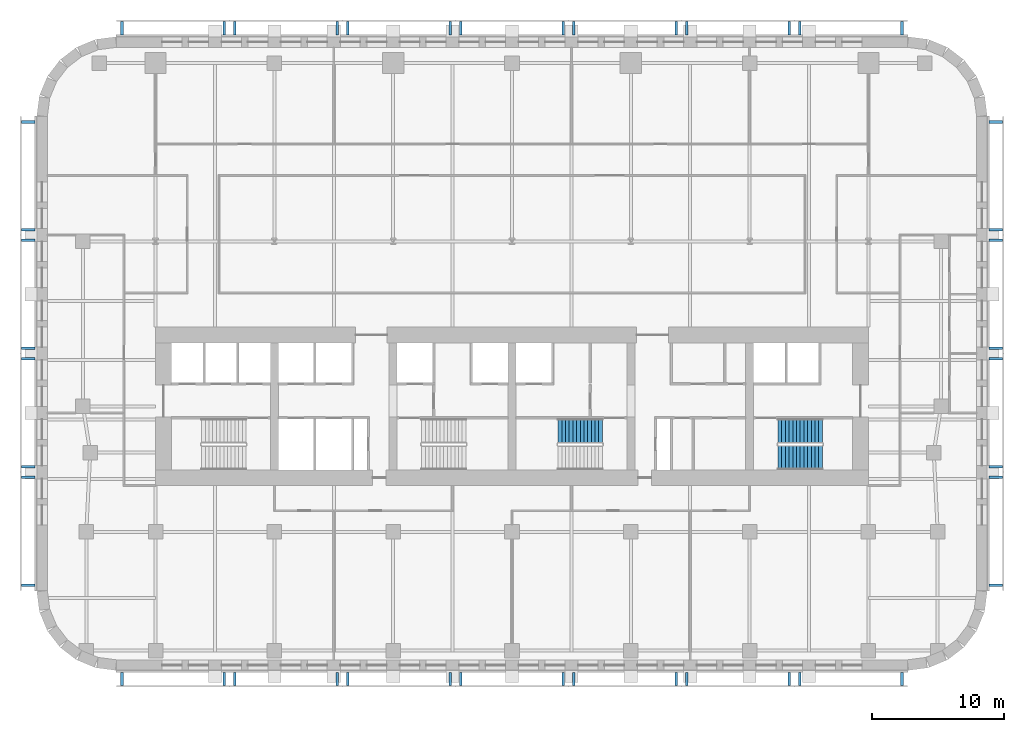
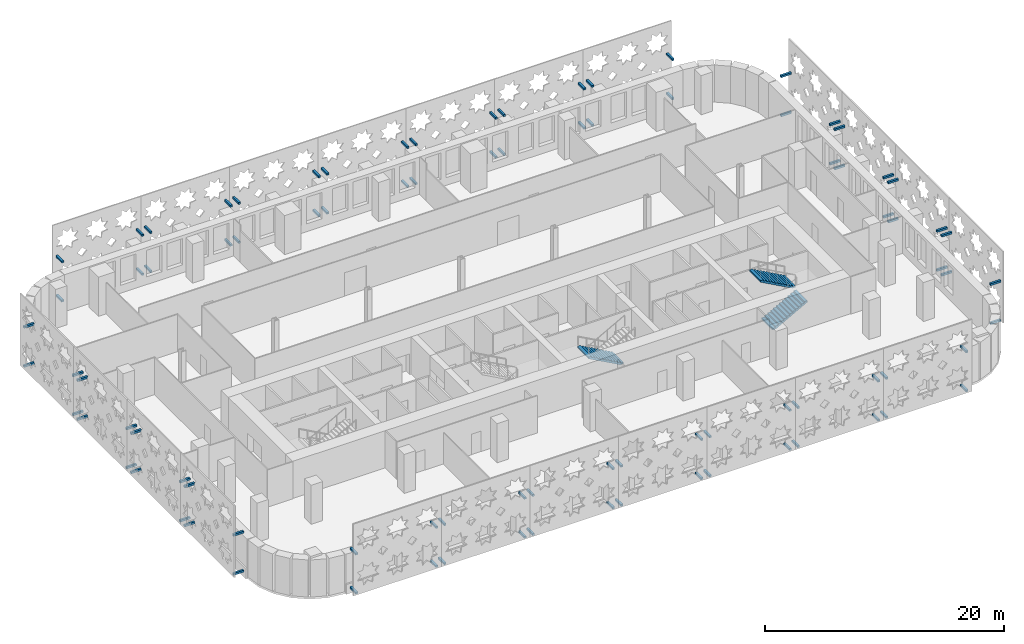
# One storey, part 10 of 15: 88 discrete accessories, 3 stair flights, 2 elements without a shape of their own.
"""IFC4 building model written with IfcOpenShell, lengths in metres."""

from ifc_helpers import new_model, si_unit, direction, frame, origin, origin_2d, place, context, subcontext, project, spatial, polyline, rectangle, outline, extrude, material, type_object, element, aggregate, save


model = new_model("IFC4")

# Units and contexts
model_context = context("Model", 3, precision=1e-05, world=origin(), true_north=direction((0.0, 1.0)))
body_context = subcontext(model_context, "Body", "Model", "MODEL_VIEW")
ifc_project = project(units=[si_unit("LENGTHUNIT", "METRE"), si_unit("AREAUNIT", "SQUARE_METRE"), si_unit("VOLUMEUNIT", "CUBIC_METRE"), si_unit("PLANEANGLEUNIT", "RADIAN"), si_unit("MASSUNIT", "GRAM", prefix="KILO")], contexts=[model_context])

# Site, building, storey
site_placement = place(None, origin())
site = spatial("IfcSite", under=ifc_project, at=site_placement, CompositionType="ELEMENT")
building_placement = place(site_placement, origin())
building = spatial("IfcBuilding", under=site, at=building_placement, Name="Zellij Exchange Tower", CompositionType="ELEMENT")
storey_placement = place(building_placement, frame((0.0, 0.0, 92.5)))
storey = spatial("IfcBuildingStorey", under=building, at=storey_placement, Name="L19", CompositionType="ELEMENT", Elevation=92.5)

# Stair, stair flight
ifc_material_1 = material(Name="Concrete C40/50", Category="concrete")
stair_type = type_object("IfcStairType", Name="CORE-ST exit stair 1850 wide", PredefinedType="HALF_TURN_STAIR", material=ifc_material_1)
stair_1_placement = place(storey_placement, origin())
stair_1 = element("IfcStair", 1, at=stair_1_placement, inside=storey, type_object=stair_type, Name="L19 exit stair ST3", PredefinedType="HALF_TURN_STAIR")
stair_flight_type = type_object("IfcStairFlightType", Name="CORE-SF flight 1850 riser 153.8 going 280", PredefinedType="STRAIGHT", material=ifc_material_1)
stair_flight_1_placement = place(storey_placement, frame((6.85009765625, -9.875, 0.0), z_axis=(0.0, 0.0, 1.0), x_axis=(-1.0, 0.0, 0.0)))
stair_flight_1 = element("IfcStairFlight", 2, at=stair_flight_1_placement, type_object=stair_flight_type, Name="ST3 flight 1", NumberOfRisers=13, NumberOfTreads=12, PredefinedType="STRAIGHT", RiserHeight=0.153846154, TreadLength=0.28, context=body_context, shape_type="SweptSolid", body=[
    extrude(outline(polyline([(0.0, 0.0), (0.0, 0.15380859375), (0.280029296875, 0.15380859375), (0.280029296875, 0.3076171875), (0.56005859375, 0.3076171875), (0.56005859375, 0.46142578125), (0.840087890625, 0.46142578125), (0.840087890625, 0.615478515625), (1.1201171875, 0.615478515625), (1.1201171875, 0.769287109375), (1.39990234375, 0.769287109375), (1.39990234375, 0.923095703125), (1.679931640625, 0.923095703125), (1.679931640625, 1.076904296875), (1.9599609375, 1.076904296875), (1.9599609375, 1.230712890625), (2.239990234375, 1.230712890625), (2.239990234375, 1.384521484375), (2.52001953125, 1.384521484375), (2.52001953125, 1.53857421875), (2.800048828125, 1.53857421875), (2.800048828125, 1.6923828125), (3.080078125, 1.6923828125), (3.080078125, 1.84619140625), (3.360107421875, 1.84619140625), (3.360107421875, 2.0), (3.360107421875, 1.675048828125), (0.311279296875, 0.0), (0.0, 0.0)])), frame((0.0, 0.925048828125, 0.0), z_axis=(0.0, -1.0, 0.0), x_axis=(1.0, 0.0, 0.0)), (0.0, 0.0, 1.0), 1.85009765625),
])
aggregate(stair_1, [stair_flight_1])

# Stair, stair flights
stair_2_placement = place(storey_placement, origin())
stair_2 = element("IfcStair", 3, at=stair_2_placement, inside=storey, type_object=stair_type, Name="L19 exit stair ST4", PredefinedType="HALF_TURN_STAIR")
stair_flight_2_placement = place(storey_placement, frame((20.14990234375, -11.875, 0.0), z_axis=(0.0, 0.0, 1.0), x_axis=(1.0, 0.0, 0.0)))
stair_flight_2 = element("IfcStairFlight", 4, at=stair_flight_2_placement, type_object=stair_flight_type, Name="ST4 flight 1", NumberOfRisers=13, NumberOfTreads=12, PredefinedType="STRAIGHT", RiserHeight=0.153846154, TreadLength=0.28, context=body_context, shape_type="SweptSolid", body=[
    extrude(outline(polyline([(0.0, 0.0), (0.0, 0.15380859375), (0.280029296875, 0.15380859375), (0.280029296875, 0.3076171875), (0.56005859375, 0.3076171875), (0.56005859375, 0.46142578125), (0.840087890625, 0.46142578125), (0.840087890625, 0.615478515625), (1.1201171875, 0.615478515625), (1.1201171875, 0.769287109375), (1.39990234375, 0.769287109375), (1.39990234375, 0.923095703125), (1.679931640625, 0.923095703125), (1.679931640625, 1.076904296875), (1.9599609375, 1.076904296875), (1.9599609375, 1.230712890625), (2.239990234375, 1.230712890625), (2.239990234375, 1.384521484375), (2.52001953125, 1.384521484375), (2.52001953125, 1.53857421875), (2.800048828125, 1.53857421875), (2.800048828125, 1.6923828125), (3.080078125, 1.6923828125), (3.080078125, 1.84619140625), (3.360107421875, 1.84619140625), (3.360107421875, 2.0), (3.360107421875, 1.675048828125), (0.311279296875, 0.0), (0.0, 0.0)])), frame((0.0, 0.925048828125, 0.0), z_axis=(0.0, -1.0, 0.0), x_axis=(1.0, 0.0, 0.0)), (0.0, 0.0, 1.0), 1.85009765625),
])
stair_flight_3_placement = place(storey_placement, frame((23.510009765625, -9.875, 2.0), z_axis=(0.0, 0.0, 1.0), x_axis=(-1.0, 0.0, 0.0)))
stair_flight_3 = element("IfcStairFlight", 5, at=stair_flight_3_placement, type_object=stair_flight_type, Name="ST4 flight 2", NumberOfRisers=13, NumberOfTreads=12, PredefinedType="STRAIGHT", RiserHeight=0.153846154, TreadLength=0.28, context=body_context, shape_type="SweptSolid", body=[
    extrude(outline(polyline([(0.0, 0.0), (0.0, 0.15380859375), (0.280029296875, 0.15380859375), (0.280029296875, 0.3076171875), (0.56005859375, 0.3076171875), (0.56005859375, 0.46142578125), (0.840087890625, 0.46142578125), (0.840087890625, 0.615478515625), (1.1201171875, 0.615478515625), (1.1201171875, 0.769287109375), (1.39990234375, 0.769287109375), (1.39990234375, 0.923095703125), (1.679931640625, 0.923095703125), (1.679931640625, 1.076904296875), (1.9599609375, 1.076904296875), (1.9599609375, 1.230712890625), (2.239990234375, 1.230712890625), (2.239990234375, 1.384521484375), (2.52001953125, 1.384521484375), (2.52001953125, 1.53857421875), (2.800048828125, 1.53857421875), (2.800048828125, 1.6923828125), (3.080078125, 1.6923828125), (3.080078125, 1.84619140625), (3.360107421875, 1.84619140625), (3.360107421875, 2.0), (3.360107421875, 1.675048828125), (0.311279296875, 0.0), (0.0, 0.0)])), frame((0.0, 0.925048828125, 0.0), z_axis=(0.0, -1.0, 0.0), x_axis=(1.0, 0.0, 0.0)), (0.0, 0.0, 1.0), 1.85009765625),
])
aggregate(stair_2, [stair_flight_2, stair_flight_3])

# Discrete accessories
ifc_material_2 = material(Name="Stainless steel", Category="steel")
discrete_accessory_type = type_object("IfcDiscreteAccessoryType", Name="ENV-BR1 Stone panel bracket 200", PredefinedType="USERDEFINED", material=ifc_material_2)
for number, where, z_axis, x_axis, name in (
    (6, (-36.64990234375, 13.547607421875, 0.2998046875), (0.0, 0.0, 1.0), (0.0, -1.0, 0.0), "Panel bracket"),
    (7, (-36.64990234375, 5.373779296875, 0.2998046875), (0.0, 0.0, 1.0), (0.0, -1.0, 0.0), "Panel bracket"),
    (8, (-36.64990234375, 13.547607421875, 4.2998046875), (0.0, 0.0, 1.0), (0.0, -1.0, 0.0), "Panel bracket"),
    (9, (-36.64990234375, 5.373779296875, 4.2998046875), (0.0, 0.0, 1.0), (0.0, -1.0, 0.0), "Panel bracket"),
    (10, (-36.64990234375, 4.57373046875, 0.2998046875), (0.0, 0.0, 1.0), (0.0, -1.0, 0.0), "Panel bracket"),
    (11, (-36.64990234375, -3.60009765625, 0.2998046875), (0.0, 0.0, 1.0), (0.0, -1.0, 0.0), "Panel bracket"),
    (12, (-36.64990234375, 4.57373046875, 4.2998046875), (0.0, 0.0, 1.0), (0.0, -1.0, 0.0), "Panel bracket"),
    (13, (-36.64990234375, -3.60009765625, 4.2998046875), (0.0, 0.0, 1.0), (0.0, -1.0, 0.0), "Panel bracket"),
    (14, (-36.64990234375, -4.39990234375, 0.2998046875), (0.0, 0.0, 1.0), (0.0, -1.0, 0.0), "Panel bracket"),
    (15, (-36.64990234375, -12.57373046875, 0.2998046875), (0.0, 0.0, 1.0), (0.0, -1.0, 0.0), "Panel bracket"),
    (16, (-36.64990234375, -4.39990234375, 4.2998046875), (0.0, 0.0, 1.0), (0.0, -1.0, 0.0), "Panel bracket"),
    (17, (-36.64990234375, -12.57373046875, 4.2998046875), (0.0, 0.0, 1.0), (0.0, -1.0, 0.0), "Panel bracket"),
    (18, (-36.64990234375, -13.373779296875, 0.2998046875), (0.0, 0.0, 1.0), (0.0, -1.0, 0.0), "Panel bracket"),
    (19, (-36.64990234375, -21.547607421875, 0.2998046875), (0.0, 0.0, 1.0), (0.0, -1.0, 0.0), "Panel bracket"),
    (20, (-36.64990234375, -13.373779296875, 4.2998046875), (0.0, 0.0, 1.0), (0.0, -1.0, 0.0), "Panel bracket"),
    (21, (-36.64990234375, -21.547607421875, 4.2998046875), (0.0, 0.0, 1.0), (0.0, -1.0, 0.0), "Panel bracket"),
    (22, (-29.547607421875, -28.64990234375, 0.2998046875), (0.0, 0.0, 1.0), (1.0, 0.0, 0.0), "Panel bracket"),
    (23, (-21.791015625, -28.64990234375, 0.2998046875), (0.0, 0.0, 1.0), (1.0, 0.0, 0.0), "Panel bracket"),
    (24, (-29.547607421875, -28.64990234375, 4.2998046875), (0.0, 0.0, 1.0), (1.0, 0.0, 0.0), "Panel bracket"),
    (25, (-21.791015625, -28.64990234375, 4.2998046875), (0.0, 0.0, 1.0), (1.0, 0.0, 0.0), "Panel bracket"),
    (26, (-20.9912109375, -28.64990234375, 0.2998046875), (0.0, 0.0, 1.0), (1.0, 0.0, 0.0), "Panel bracket"),
    (27, (-13.234619140625, -28.64990234375, 0.2998046875), (0.0, 0.0, 1.0), (1.0, 0.0, 0.0), "Panel bracket"),
    (28, (-20.9912109375, -28.64990234375, 4.2998046875), (0.0, 0.0, 1.0), (1.0, 0.0, 0.0), "Panel bracket"),
    (29, (-13.234619140625, -28.64990234375, 4.2998046875), (0.0, 0.0, 1.0), (1.0, 0.0, 0.0), "Panel bracket"),
    (30, (-12.434814453125, -28.64990234375, 0.2998046875), (0.0, 0.0, 1.0), (1.0, 0.0, 0.0), "Panel bracket"),
    (31, (-4.67822265625, -28.64990234375, 0.2998046875), (0.0, 0.0, 1.0), (1.0, 0.0, 0.0), "Panel bracket"),
    (32, (-12.434814453125, -28.64990234375, 4.2998046875), (0.0, 0.0, 1.0), (1.0, 0.0, 0.0), "Panel bracket"),
    (33, (-4.67822265625, -28.64990234375, 4.2998046875), (0.0, 0.0, 1.0), (1.0, 0.0, 0.0), "Panel bracket"),
    (34, (-3.878173828125, -28.64990234375, 0.2998046875), (0.0, 0.0, 1.0), (1.0, 0.0, 0.0), "Panel bracket"),
    (35, (3.878173828125, -28.64990234375, 0.2998046875), (0.0, 0.0, 1.0), (1.0, 0.0, 0.0), "Panel bracket"),
    (36, (-3.878173828125, -28.64990234375, 4.2998046875), (0.0, 0.0, 1.0), (1.0, 0.0, 0.0), "Panel bracket"),
    (37, (3.878173828125, -28.64990234375, 4.2998046875), (0.0, 0.0, 1.0), (1.0, 0.0, 0.0), "Panel bracket"),
    (38, (4.67822265625, -28.64990234375, 0.2998046875), (0.0, 0.0, 1.0), (1.0, 0.0, 0.0), "Panel bracket"),
    (39, (12.434814453125, -28.64990234375, 0.2998046875), (0.0, 0.0, 1.0), (1.0, 0.0, 0.0), "Panel bracket"),
    (40, (4.67822265625, -28.64990234375, 4.2998046875), (0.0, 0.0, 1.0), (1.0, 0.0, 0.0), "Panel bracket"),
    (41, (12.434814453125, -28.64990234375, 4.2998046875), (0.0, 0.0, 1.0), (1.0, 0.0, 0.0), "Panel bracket"),
    (42, (13.234619140625, -28.64990234375, 0.2998046875), (0.0, 0.0, 1.0), (1.0, 0.0, 0.0), "Panel bracket"),
    (43, (20.9912109375, -28.64990234375, 0.2998046875), (0.0, 0.0, 1.0), (1.0, 0.0, 0.0), "Panel bracket"),
    (44, (13.234619140625, -28.64990234375, 4.2998046875), (0.0, 0.0, 1.0), (1.0, 0.0, 0.0), "Panel bracket"),
    (45, (20.9912109375, -28.64990234375, 4.2998046875), (0.0, 0.0, 1.0), (1.0, 0.0, 0.0), "Panel bracket"),
    (46, (21.791015625, -28.64990234375, 0.2998046875), (0.0, 0.0, 1.0), (1.0, 0.0, 0.0), "Panel bracket"),
    (47, (29.547607421875, -28.64990234375, 0.2998046875), (0.0, 0.0, 1.0), (1.0, 0.0, 0.0), "Panel bracket"),
    (48, (21.791015625, -28.64990234375, 4.2998046875), (0.0, 0.0, 1.0), (1.0, 0.0, 0.0), "Panel bracket"),
    (49, (29.547607421875, -28.64990234375, 4.2998046875), (0.0, 0.0, 1.0), (1.0, 0.0, 0.0), "Panel bracket"),
    (50, (29.547607421875, 20.64990234375, 0.2998046875), (0.0, 0.0, 1.0), (-1.0, 0.0, 0.0), "Panel bracket"),
    (51, (21.791015625, 20.64990234375, 0.2998046875), (0.0, 0.0, 1.0), (-1.0, 0.0, 0.0), "Panel bracket"),
    (52, (29.547607421875, 20.64990234375, 4.2998046875), (0.0, 0.0, 1.0), (-1.0, 0.0, 0.0), "Panel bracket"),
    (53, (21.791015625, 20.64990234375, 4.2998046875), (0.0, 0.0, 1.0), (-1.0, 0.0, 0.0), "Panel bracket"),
    (54, (20.9912109375, 20.64990234375, 0.2998046875), (0.0, 0.0, 1.0), (-1.0, 0.0, 0.0), "Panel bracket"),
    (55, (13.234619140625, 20.64990234375, 0.2998046875), (0.0, 0.0, 1.0), (-1.0, 0.0, 0.0), "Panel bracket"),
    (56, (20.9912109375, 20.64990234375, 4.2998046875), (0.0, 0.0, 1.0), (-1.0, 0.0, 0.0), "Panel bracket"),
    (57, (13.234619140625, 20.64990234375, 4.2998046875), (0.0, 0.0, 1.0), (-1.0, 0.0, 0.0), "Panel bracket"),
    (58, (12.434814453125, 20.64990234375, 0.2998046875), (0.0, 0.0, 1.0), (-1.0, 0.0, 0.0), "Panel bracket"),
    (59, (4.67822265625, 20.64990234375, 0.2998046875), (0.0, 0.0, 1.0), (-1.0, 0.0, 0.0), "Panel bracket"),
    (60, (12.434814453125, 20.64990234375, 4.2998046875), (0.0, 0.0, 1.0), (-1.0, 0.0, 0.0), "Panel bracket"),
    (61, (4.67822265625, 20.64990234375, 4.2998046875), (0.0, 0.0, 1.0), (-1.0, 0.0, 0.0), "Panel bracket"),
    (62, (3.878173828125, 20.64990234375, 0.2998046875), (0.0, 0.0, 1.0), (-1.0, 0.0, 0.0), "Panel bracket"),
    (63, (-3.878173828125, 20.64990234375, 0.2998046875), (0.0, 0.0, 1.0), (-1.0, 0.0, 0.0), "Panel bracket"),
    (64, (3.878173828125, 20.64990234375, 4.2998046875), (0.0, 0.0, 1.0), (-1.0, 0.0, 0.0), "Panel bracket"),
    (65, (-3.878173828125, 20.64990234375, 4.2998046875), (0.0, 0.0, 1.0), (-1.0, 0.0, 0.0), "Panel bracket"),
    (66, (-4.67822265625, 20.64990234375, 0.2998046875), (0.0, 0.0, 1.0), (-1.0, 0.0, 0.0), "Panel bracket"),
    (67, (-12.434814453125, 20.64990234375, 0.2998046875), (0.0, 0.0, 1.0), (-1.0, 0.0, 0.0), "Panel bracket"),
    (68, (-4.67822265625, 20.64990234375, 4.2998046875), (0.0, 0.0, 1.0), (-1.0, 0.0, 0.0), "Panel bracket"),
    (69, (-12.434814453125, 20.64990234375, 4.2998046875), (0.0, 0.0, 1.0), (-1.0, 0.0, 0.0), "Panel bracket"),
    (70, (-13.234619140625, 20.64990234375, 0.2998046875), (0.0, 0.0, 1.0), (-1.0, 0.0, 0.0), "Panel bracket"),
    (71, (-20.9912109375, 20.64990234375, 0.2998046875), (0.0, 0.0, 1.0), (-1.0, 0.0, 0.0), "Panel bracket"),
    (72, (-13.234619140625, 20.64990234375, 4.2998046875), (0.0, 0.0, 1.0), (-1.0, 0.0, 0.0), "Panel bracket"),
    (73, (-20.9912109375, 20.64990234375, 4.2998046875), (0.0, 0.0, 1.0), (-1.0, 0.0, 0.0), "Panel bracket"),
    (74, (-21.791015625, 20.64990234375, 0.2998046875), (0.0, 0.0, 1.0), (-1.0, 0.0, 0.0), "Panel bracket"),
    (75, (-29.547607421875, 20.64990234375, 0.2998046875), (0.0, 0.0, 1.0), (-1.0, 0.0, 0.0), "Panel bracket"),
    (76, (-21.791015625, 20.64990234375, 4.2998046875), (0.0, 0.0, 1.0), (-1.0, 0.0, 0.0), "Panel bracket"),
    (77, (-29.547607421875, 20.64990234375, 4.2998046875), (0.0, 0.0, 1.0), (-1.0, 0.0, 0.0), "Panel bracket"),
    (78, (36.64990234375, -21.547607421875, 0.2998046875), (0.0, 0.0, 1.0), (0.0, 1.0, 0.0), "Panel bracket"),
    (79, (36.64990234375, -13.373779296875, 0.2998046875), (0.0, 0.0, 1.0), (0.0, 1.0, 0.0), "Panel bracket"),
    (80, (36.64990234375, -21.547607421875, 4.2998046875), (0.0, 0.0, 1.0), (0.0, 1.0, 0.0), "Panel bracket"),
    (81, (36.64990234375, -13.373779296875, 4.2998046875), (0.0, 0.0, 1.0), (0.0, 1.0, 0.0), "Panel bracket"),
    (82, (36.64990234375, -12.57373046875, 0.2998046875), (0.0, 0.0, 1.0), (0.0, 1.0, 0.0), "Panel bracket"),
    (83, (36.64990234375, -4.39990234375, 0.2998046875), (0.0, 0.0, 1.0), (0.0, 1.0, 0.0), "Panel bracket"),
    (84, (36.64990234375, -12.57373046875, 4.2998046875), (0.0, 0.0, 1.0), (0.0, 1.0, 0.0), "Panel bracket"),
    (85, (36.64990234375, -4.39990234375, 4.2998046875), (0.0, 0.0, 1.0), (0.0, 1.0, 0.0), "Panel bracket"),
    (86, (36.64990234375, -3.60009765625, 0.2998046875), (0.0, 0.0, 1.0), (0.0, 1.0, 0.0), "Panel bracket"),
    (87, (36.64990234375, 4.57373046875, 0.2998046875), (0.0, 0.0, 1.0), (0.0, 1.0, 0.0), "Panel bracket"),
    (88, (36.64990234375, -3.60009765625, 4.2998046875), (0.0, 0.0, 1.0), (0.0, 1.0, 0.0), "Panel bracket"),
    (89, (36.64990234375, 4.57373046875, 4.2998046875), (0.0, 0.0, 1.0), (0.0, 1.0, 0.0), "Panel bracket"),
    (90, (36.64990234375, 5.373779296875, 0.2998046875), (0.0, 0.0, 1.0), (0.0, 1.0, 0.0), "Panel bracket"),
    (91, (36.64990234375, 13.547607421875, 0.2998046875), (0.0, 0.0, 1.0), (0.0, 1.0, 0.0), "Panel bracket"),
    (92, (36.64990234375, 5.373779296875, 4.2998046875), (0.0, 0.0, 1.0), (0.0, 1.0, 0.0), "Panel bracket"),
    (93, (36.64990234375, 13.547607421875, 4.2998046875), (0.0, 0.0, 1.0), (0.0, 1.0, 0.0), "Panel bracket"),
):
    element("IfcDiscreteAccessory", number, at=place(storey_placement, frame(where, z_axis=z_axis, x_axis=x_axis)), inside=storey, type_object=discrete_accessory_type, Name=name, ObjectType="BRACKET", PredefinedType="USERDEFINED", context=body_context, shape_type="SweptSolid", body=[
        extrude(rectangle(XDim=0.199951171875, YDim=1.0, at=origin_2d()), origin(), (0.0, 0.0, 1.0), 0.199951171875),
    ])

save(model, "model.ifc")
